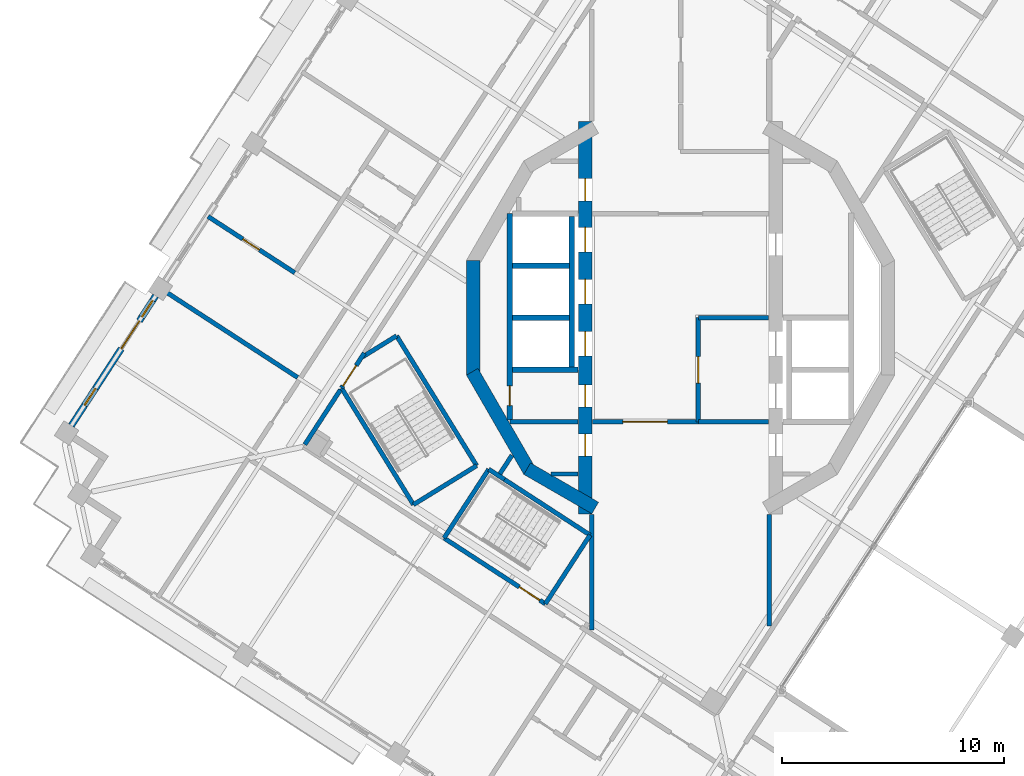
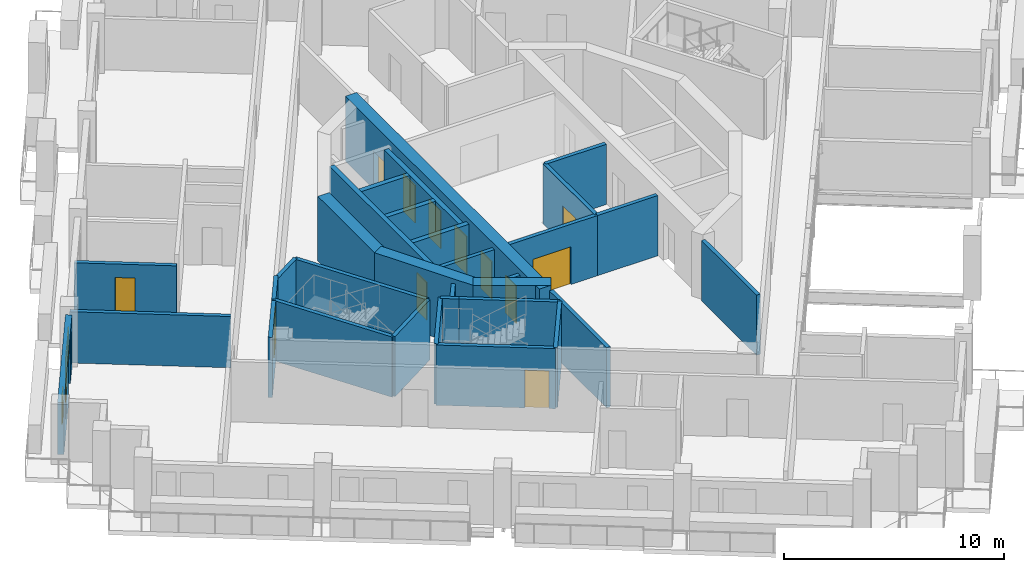
# One storey, part 6 of 17: 32 walls, 13 doors, 2 windows, 15 openings.
"""IFC4 building model written with IfcOpenShell, lengths in metres."""

import ifcopenshell
import ifcopenshell.guid

model = None  # the IFC model being written
_history = None  # IfcOwnerHistory: only IFC2X3 demands one
_inside = {}  # id of a spatial element -> (the spatial element, [elements in it])
_under = {}  # id of a project, library or spatial element -> (it, [spatial elements below it])
_declared = {}  # id of a project -> (the project, [libraries it declares])
_typed = {}  # id of a type object -> (the type object, [elements of that type])
_made_of = {}  # id of a material, layer set ... -> (it, [elements and type objects made of it])


def new_model(schema):
    """Start an empty IFC model of exactly this schema.

    Asked for "IFC4X3", IfcOpenShell would pick the latest addendum, in which some entities
    have other attributes; the version numbers below select the first issue.
    IFC2X3 requires an IfcOwnerHistory on every rooted entity: one is made here for all.
    """
    global model, _history
    if schema == "IFC4X3":
        model = ifcopenshell.file(schema_version=(4, 3, 0, 0))
    else:
        model = ifcopenshell.file(schema=schema)
    _inside.clear()
    _under.clear()
    _declared.clear()
    _typed.clear()
    _made_of.clear()
    _history = None
    if model.schema == "IFC2X3":
        org = make("IfcOrganization", Name="unknown")
        user = make(
            "IfcPersonAndOrganization",
            ThePerson=make("IfcPerson", FamilyName="unknown"),
            TheOrganization=org,
        )
        app = make(
            "IfcApplication",
            ApplicationDeveloper=org,
            Version="unknown",
            ApplicationFullName="unknown",
            ApplicationIdentifier="unknown",
        )
        _history = make(
            "IfcOwnerHistory",
            OwningUser=user,
            OwningApplication=app,
            ChangeAction="ADDED",
            CreationDate=0,
        )
    return model


def make(cls, **values):
    """One entity of the class cls with the attributes given. An attribute that is None is left unset."""
    return model.create_entity(
        cls, **{name: value for name, value in values.items() if value is not None}
    )


def rooted(cls, **values):
    """An entity with a GlobalId (a new one), such as an element, a storey or a relation."""
    return make(cls, GlobalId=ifcopenshell.guid.new(), OwnerHistory=_history, **values)


def si_unit(unit_type, name, prefix=None):
    """IfcSIUnit, for example si_unit("LENGTHUNIT", "METRE", prefix="MILLI")."""
    return make("IfcSIUnit", UnitType=unit_type, Prefix=prefix, Name=name)


def assignment(units):
    """IfcUnitAssignment: the units of a project."""
    return None if units is None else make("IfcUnitAssignment", Units=units)


def point(xyz):
    """IfcCartesianPoint."""
    return None if xyz is None else make("IfcCartesianPoint", Coordinates=xyz)


def direction(xyz):
    """IfcDirection."""
    return None if xyz is None else make("IfcDirection", DirectionRatios=xyz)


def frame(location, z_axis=None, x_axis=None):
    """IfcAxis2Placement3D, a coordinate frame: its origin and axes. An axis left out is left unset."""
    return make(
        "IfcAxis2Placement3D",
        Location=point(location),
        Axis=direction(z_axis),
        RefDirection=direction(x_axis),
    )


def frame_2d(location, x_axis=None):
    """IfcAxis2Placement2D, a coordinate frame in the plane: its origin and x axis."""
    return make(
        "IfcAxis2Placement2D", Location=point(location), RefDirection=direction(x_axis)
    )


def origin():
    """The frame at (0, 0, 0) with its axes left unset."""
    return frame((0.0, 0.0, 0.0))


def place(relative_to, where):
    """IfcLocalPlacement: puts the frame where relative to a parent placement (None: the world)."""
    return make(
        "IfcLocalPlacement", PlacementRelTo=relative_to, RelativePlacement=where
    )


def context(
    kind, dimensions, precision=None, world=None, true_north=None, identifier=None
):
    """IfcGeometricRepresentationContext, for example the 3D "Model" context."""
    return make(
        "IfcGeometricRepresentationContext",
        ContextIdentifier=identifier,
        ContextType=kind,
        CoordinateSpaceDimension=dimensions,
        Precision=precision,
        WorldCoordinateSystem=world,
        TrueNorth=true_north,
    )


def subcontext(parent, identifier, kind, view, scale=None):
    """IfcGeometricRepresentationSubContext, for example "Body" below "Model"."""
    return make(
        "IfcGeometricRepresentationSubContext",
        ContextIdentifier=identifier,
        ContextType=kind,
        ParentContext=parent,
        TargetScale=scale,
        TargetView=view,
    )


def project(units=None, contexts=None):
    """IfcProject with its units and contexts."""
    return rooted(
        "IfcProject",
        Name="project",
        RepresentationContexts=contexts,
        UnitsInContext=assignment(units),
    )


def spatial(cls, under=None, at=None, **own):
    """A site, building, storey or space (cls), placed at a placement, below another one or the project."""
    s = rooted(cls, ObjectPlacement=at, **own)
    if under is not None:
        _under.setdefault(under.id(), (under, []))[1].append(s)
    return s


def profile(cls, at=None, kind="AREA", **sizes):
    """A parametric profile (cls). Its sizes go by their IFC names, for example OverallWidth=200.0."""
    return make(cls, ProfileType=kind, Position=at, **sizes)


def rectangle(**sizes):
    """IfcRectangleProfileDef."""
    return profile("IfcRectangleProfileDef", **sizes)


def extrude(swept, where, along, depth):
    """IfcExtrudedAreaSolid: the profile swept, set in the frame where, extruded along a direction by depth."""
    return make(
        "IfcExtrudedAreaSolid",
        SweptArea=swept,
        Position=where,
        ExtrudedDirection=direction(along),
        Depth=depth,
    )


def shape(context_of_items, identifier, shape_type, items):
    """IfcShapeRepresentation: the items that make up one representation, for example the "Body"."""
    return make(
        "IfcShapeRepresentation",
        ContextOfItems=context_of_items,
        RepresentationIdentifier=identifier,
        RepresentationType=shape_type,
        Items=items,
    )


def material(Name=None, Category=None):
    """IfcMaterial."""
    return make("IfcMaterial", Name=Name, Category=Category)


def layer(
    of_material, thickness, ventilated=None, Name=None, Category=None, Priority=None
):
    """IfcMaterialLayer: one layer of a wall or slab, of a material (None: an air gap)."""
    return make(
        "IfcMaterialLayer",
        Material=of_material,
        LayerThickness=thickness,
        IsVentilated=ventilated,
        Name=Name,
        Category=Category,
        Priority=Priority,
    )


def layer_set(layers, Name=None):
    """IfcMaterialLayerSet."""
    return make("IfcMaterialLayerSet", MaterialLayers=layers, LayerSetName=Name)


def made_of(thing, what):
    """Note that an element or type object is made of a material, layer set ...; save() writes the relation."""
    if what is not None:
        _made_of.setdefault(what.id(), (what, []))[1].append(thing)
    return thing


def type_object(cls, material=None, **own):
    """A type object (cls), such as IfcWallType, which elements share."""
    return made_of(rooted(cls, **own), material)


def element(
    cls,
    number,
    at=None,
    inside=None,
    cuts=None,
    type_object=None,
    material=None,
    context=None,
    identifier="Body",
    shape_type=None,
    held_by="IfcProductDefinitionShape",
    body=None,
    shapes=None,
    **own,
):
    """One element of the class cls, such as IfcWall. Its Tag is "e" and its number.

    at: its placement. inside: the storey or other place that contains it. cuts: it is an
    opening in that element (IfcRelVoidsElement). A single representation is given by context,
    identifier, shape_type and body (its items); several are given by shapes. held_by: the class
    of the entity that holds the representations. save() writes the other relations.
    """
    e = rooted(cls, Tag="e%d" % number, ObjectPlacement=at, **own)
    if body is not None:
        shapes = [shape(context, identifier, shape_type, body)]
    if shapes is not None:
        e.Representation = make(held_by, Representations=shapes)
    if inside is not None:
        _inside.setdefault(inside.id(), (inside, []))[1].append(e)
    if cuts is not None:
        rooted(
            "IfcRelVoidsElement", RelatingBuildingElement=cuts, RelatedOpeningElement=e
        )
    if type_object is not None:
        _typed.setdefault(type_object.id(), (type_object, []))[1].append(e)
    return made_of(e, material)


def fill(opening, filler):
    """IfcRelFillsElement: the door or window that sits in an opening."""
    return rooted(
        "IfcRelFillsElement",
        RelatingOpeningElement=opening,
        RelatedBuildingElement=filler,
    )


def aggregate(whole, parts):
    """IfcRelAggregates: a whole, such as a stair, and the parts it consists of."""
    return rooted("IfcRelAggregates", RelatingObject=whole, RelatedObjects=parts)


def save(model, path):
    """Write the relations noted so far, then the file.

    IfcRelAggregates (storeys below a building ...), IfcRelContainedInSpatialStructure (elements
    in a storey), IfcRelDefinesByType, IfcRelAssociatesMaterial and IfcRelDeclares: one each for
    every whole, place, type object, material and project.
    """
    for whole, parts in _under.values():
        aggregate(whole, parts)
    for where, things in _inside.values():
        rooted(
            "IfcRelContainedInSpatialStructure",
            RelatedElements=things,
            RelatingStructure=where,
        )
    for kind, things in _typed.values():
        rooted("IfcRelDefinesByType", RelatedObjects=things, RelatingType=kind)
    for what, things in _made_of.values():
        rooted("IfcRelAssociatesMaterial", RelatedObjects=things, RelatingMaterial=what)
    for by, libraries in _declared.values():
        rooted("IfcRelDeclares", RelatingContext=by, RelatedDefinitions=libraries)
    model.write(path)


model = new_model("IFC4")

# Units and contexts
model_context = context("Model", 3, precision=1e-05, world=origin(), true_north=direction((0.0, 1.0)))
body_context = subcontext(model_context, "Body", "Model", "MODEL_VIEW")
ifc_project = project(units=[si_unit("LENGTHUNIT", "METRE"), si_unit("AREAUNIT", "SQUARE_METRE"), si_unit("VOLUMEUNIT", "CUBIC_METRE"), si_unit("PLANEANGLEUNIT", "RADIAN"), si_unit("MASSUNIT", "GRAM", prefix="KILO")], contexts=[model_context])

# Site, building, storey
site_placement = place(None, origin())
site = spatial("IfcSite", under=ifc_project, at=site_placement, CompositionType="ELEMENT")
building_placement = place(site_placement, origin())
building = spatial("IfcBuilding", under=site, at=building_placement, Name="Cantera Rosa Tower", CompositionType="ELEMENT")
storey_placement = place(building_placement, frame((0.0, 0.0, 257.699951171875)))
storey = spatial("IfcBuildingStorey", under=building, at=storey_placement, Name="L57", CompositionType="ELEMENT", Elevation=257.699951171875)

# Walls
ifc_material_1 = material(Name="Gypsum board partition")
ifc_layer_1 = layer(ifc_material_1, 0.199951171875)
ifc_layer_set_1 = layer_set([ifc_layer_1], Name="CORRIDOR WALL 200 H3350")
wall_type_1 = type_object("IfcWallType", Name="CORRIDOR WALL 200 H3350", PredefinedType="PARTITIONING", material=ifc_layer_set_1)
wall_1_placement = place(storey_placement, frame((-15.349853515625, -3.256103515625, 0.0), z_axis=(0.0, 0.0, 1.0), x_axis=(-0.544576607641, -0.838711105453, 0.0)))
element("IfcWall", 1, at=wall_1_placement, inside=storey, type_object=wall_type_1, Name="CORRIDOR WALL L57-008", PredefinedType="PARTITIONING", context=body_context, shape_type="SweptSolid", body=[
    extrude(rectangle(XDim=2.939208984375, YDim=0.199951171875, at=frame_2d((1.4697265625, 0.0))), origin(), (0.0, 0.0, 1.0), 3.35009765625),
])
wall_2_placement = place(storey_placement, frame((-4.0, -14.09423828125, 0.0), z_axis=(0.0, 0.0, 1.0), x_axis=(0.0, 1.0, 0.0)))
element("IfcWall", 2, at=wall_2_placement, inside=storey, type_object=wall_type_1, Name="CORRIDOR WALL L57-039", PredefinedType="PARTITIONING", context=body_context, shape_type="SweptSolid", body=[
    extrude(rectangle(XDim=5.21533203125, YDim=0.199951171875, at=frame_2d((2.607666015625, 0.0))), origin(), (0.0, 0.0, 1.0), 3.35009765625),
])

# Wall, opening, door
wall_3_placement = place(storey_placement, frame((0.800048828125, -4.699951171875, 0.0), z_axis=(0.0, 0.0, 1.0), x_axis=(-1.0, 0.0, 0.0)))
wall_3 = element("IfcWall", 3, at=wall_3_placement, inside=storey, type_object=wall_type_1, Name="CORRIDOR WALL L57-054", PredefinedType="PARTITIONING", context=body_context, shape_type="SweptSolid", body=[
    extrude(rectangle(XDim=4.77001953125, YDim=0.199951171875, at=frame_2d((2.385009765625, 0.0))), origin(), (0.0, 0.0, 1.0), 3.35009765625),
])
opening_1_placement = place(wall_3_placement, frame((1.39990234375, 0.0, 0.0)))
opening_1 = element("IfcOpeningElement", 4, at=opening_1_placement, cuts=wall_3, Name="Opening L57-011", PredefinedType="OPENING", context=body_context, shape_type="SweptSolid", body=[
    extrude(rectangle(XDim=2.0, YDim=2.10009765625, at=frame_2d((1.0, 1.050048828125))), frame((0.0, 0.10986328125, 0.0), z_axis=(0.0, -1.0, 0.0), x_axis=(1.0, 0.0, 0.0)), (0.0, 0.0, 1.0), 0.219970703125),
])
ifc_material_2 = material(Name="Steel S355J2 (EN 10025-2)", Category="steel")
door_type_1 = type_object("IfcDoorType", Name="LOBBY SCREEN DOOR 2000x2100", OperationType="NOTDEFINED", PredefinedType="DOOR", material=ifc_material_2)
door_1_placement = place(opening_1_placement, origin())
door_1 = element("IfcDoor", 5, at=door_1_placement, inside=storey, type_object=door_type_1, Name="DOOR L57-011", OperationType="NOTDEFINED", OverallHeight=2.10009765625, OverallWidth=2.0, PredefinedType="DOOR", context=body_context, shape_type="SweptSolid", body=[
    extrude(rectangle(XDim=2.0, YDim=2.10009765625, at=frame_2d((1.0, 1.050048828125))), frame((0.0, 0.02490234375, 0.0), z_axis=(0.0, -1.0, 0.0), x_axis=(1.0, 0.0, 0.0)), (0.0, 0.0, 1.0), 0.050048828125),
])
fill(opening_1, door_1)

# Wall
wall_4_placement = place(storey_placement, frame((4.0, -13.90087890625, 0.0), z_axis=(0.0, 0.0, 1.0), x_axis=(0.0, 1.0, 0.0)))
element("IfcWall", 6, at=wall_4_placement, inside=storey, type_object=wall_type_1, Name="CORRIDOR WALL L57-069", PredefinedType="PARTITIONING", context=body_context, shape_type="SweptSolid", body=[
    extrude(rectangle(XDim=5.02197265625, YDim=0.199951171875, at=frame_2d((2.510986328125, 0.0))), origin(), (0.0, 0.0, 1.0), 3.35009765625),
])

# Wall, openings, windows, door
ifc_material_3 = material(Name="Hollow clay masonry with cantera stone cladding", Category="masonry")
ifc_layer_2 = layer(ifc_material_3, 0.300048828125)
ifc_layer_set_2 = layer_set([ifc_layer_2], Name="EW-LOGGIA 300 H2890")
wall_type_2 = type_object("IfcWallType", Name="EW-LOGGIA 300 H2890", PredefinedType="SOLIDWALL", material=ifc_layer_set_2)
wall_5_placement = place(storey_placement, frame((-23.6826171875, 0.98779296875, 0.0), z_axis=(0.0, 0.0, 1.0), x_axis=(-0.544667428764, -0.838652128146, 0.0)))
wall_5 = element("IfcWall", 7, at=wall_5_placement, inside=storey, type_object=wall_type_2, Name="EN-L57-W11", PredefinedType="SOLIDWALL", context=body_context, shape_type="SweptSolid", body=[
    extrude(rectangle(XDim=6.97998046875, YDim=0.300048828125, at=frame_2d((3.489990234375, 0.0))), origin(), (0.0, 0.0, 1.0), 2.89013671875),
])
opening_2_placement = place(wall_5_placement, frame((0.2451171875, 0.0, 0.89990234375)))
opening_2 = element("IfcOpeningElement", 8, at=opening_2_placement, cuts=wall_5, Name="Opening L57-W25", PredefinedType="OPENING", context=body_context, shape_type="SweptSolid", body=[
    extrude(rectangle(XDim=0.89990234375, YDim=1.5, at=frame_2d((0.449951171875, 0.75))), frame((0.0, 0.159912109375, 0.0), z_axis=(0.0, -1.0, 0.0), x_axis=(1.0, 0.0, 0.0)), (0.0, 0.0, 1.0), 0.320068359375),
])
opening_3_placement = place(wall_5_placement, frame((1.344970703125, 0.0, 0.0)))
opening_3 = element("IfcOpeningElement", 9, at=opening_3_placement, cuts=wall_5, Name="Opening L57-TD26", PredefinedType="OPENING", context=body_context, shape_type="SweptSolid", body=[
    extrude(rectangle(XDim=1.5, YDim=2.39990234375, at=frame_2d((0.75, 1.199951171875))), frame((0.0, 0.159912109375, 0.0), z_axis=(0.0, -1.0, 0.0), x_axis=(1.0, 0.0, 0.0)), (0.0, 0.0, 1.0), 0.320068359375),
])
opening_4_placement = place(wall_5_placement, frame((4.985107421875, 0.0, 0.89990234375)))
opening_4 = element("IfcOpeningElement", 10, at=opening_4_placement, cuts=wall_5, Name="Opening L57-W27", PredefinedType="OPENING", context=body_context, shape_type="SweptSolid", body=[
    extrude(rectangle(XDim=0.89990234375, YDim=1.5, at=frame_2d((0.449951171875, 0.75))), frame((0.0, 0.159912109375, 0.0), z_axis=(0.0, -1.0, 0.0), x_axis=(1.0, 0.0, 0.0)), (0.0, 0.0, 1.0), 0.320068359375),
])
ifc_material_4 = material(Name="Aluminium frame with clear glass", Category="aluminium")
window_type = type_object("IfcWindowType", Name="Residential window 900x1500", PartitioningType="SINGLE_PANEL", PredefinedType="WINDOW", material=ifc_material_4)
window_1_placement = place(opening_2_placement, origin())
window_1 = element("IfcWindow", 11, at=window_1_placement, inside=storey, type_object=window_type, Name="WINDOW L57-W25", OverallHeight=1.5, OverallWidth=0.89990234375, PartitioningType="SINGLE_PANEL", PredefinedType="WINDOW", context=body_context, shape_type="SweptSolid", body=[
    extrude(rectangle(XDim=0.89990234375, YDim=1.5, at=frame_2d((0.449951171875, 0.75))), frame((0.0, 0.030029296875, 0.0), z_axis=(0.0, -1.0, 0.0), x_axis=(1.0, 0.0, 0.0)), (0.0, 0.0, 1.0), 0.06005859375),
])
fill(opening_2, window_1)
window_2_placement = place(opening_4_placement, origin())
window_2 = element("IfcWindow", 12, at=window_2_placement, inside=storey, type_object=window_type, Name="WINDOW L57-W27", OverallHeight=1.5, OverallWidth=0.89990234375, PartitioningType="SINGLE_PANEL", PredefinedType="WINDOW", context=body_context, shape_type="SweptSolid", body=[
    extrude(rectangle(XDim=0.89990234375, YDim=1.5, at=frame_2d((0.449951171875, 0.75))), frame((0.0, 0.030029296875, 0.0), z_axis=(0.0, -1.0, 0.0), x_axis=(1.0, 0.0, 0.0)), (0.0, 0.0, 1.0), 0.06005859375),
])
fill(opening_4, window_2)
ifc_material_5 = material(Name="Aluminium frame with clear glass", Category="aluminium")
door_type_2 = type_object("IfcDoorType", Name="TD-R 1500x2400", OperationType="NOTDEFINED", PredefinedType="DOOR", material=ifc_material_5)
door_2_placement = place(opening_3_placement, origin())
door_2 = element("IfcDoor", 13, at=door_2_placement, inside=storey, type_object=door_type_2, Name="LOGGIA DOOR L57-TD26", OperationType="SLIDING_TO_LEFT", OverallHeight=2.39990234375, OverallWidth=1.5, PredefinedType="DOOR", context=body_context, shape_type="SweptSolid", body=[
    extrude(rectangle(XDim=1.5, YDim=2.39990234375, at=frame_2d((0.75, 1.199951171875))), frame((0.0, 0.02490234375, 0.0), z_axis=(0.0, -1.0, 0.0), x_axis=(1.0, 0.0, 0.0)), (0.0, 0.0, 1.0), 0.050048828125),
])
fill(opening_3, door_2)

# Wall, opening, door
ifc_material_6 = material(Name="Gypsum board partition")
ifc_layer_3 = layer(ifc_material_6, 0.199951171875)
ifc_layer_set_3 = layer_set([ifc_layer_3], Name="PARTITION 200 H2850")
wall_type_3 = type_object("IfcWallType", Name="PARTITION 200 H2850", PredefinedType="PARTITIONING", material=ifc_layer_set_3)
wall_6_placement = place(storey_placement, frame((-17.404296875, 2.02587890625, 0.0), z_axis=(0.0, 0.0, 1.0), x_axis=(-0.838681218127, 0.544622634822, 0.0)))
wall_6 = element("IfcWall", 14, at=wall_6_placement, inside=storey, type_object=wall_type_3, Name="PARTITION L57-003", PredefinedType="PARTITIONING", context=body_context, shape_type="SweptSolid", body=[
    extrude(rectangle(XDim=4.670166015625, YDim=0.199951171875, at=frame_2d((2.3349609375, 0.0))), origin(), (0.0, 0.0, 1.0), 2.85009765625),
])
opening_5_placement = place(wall_6_placement, frame((1.89990234375, 0.0, 0.0)))
opening_5 = element("IfcOpeningElement", 15, at=opening_5_placement, cuts=wall_6, Name="Opening L57-032", PredefinedType="OPENING", context=body_context, shape_type="SweptSolid", body=[
    extrude(rectangle(XDim=0.89990234375, YDim=2.10009765625, at=frame_2d((0.449951171875, 1.050048828125))), frame((0.0, 0.10986328125, 0.0), z_axis=(0.0, -1.0, 0.0), x_axis=(1.0, 0.0, 0.0)), (0.0, 0.0, 1.0), 0.219970703125),
])
ifc_material_7 = material(Name="Timber door leaf", Category="wood")
door_type_3 = type_object("IfcDoorType", Name="ROOM DOOR 900x2100", OperationType="NOTDEFINED", PredefinedType="DOOR", material=ifc_material_7)
door_3_placement = place(opening_5_placement, origin())
door_3 = element("IfcDoor", 16, at=door_3_placement, inside=storey, type_object=door_type_3, Name="DOOR L57-032", OperationType="NOTDEFINED", OverallHeight=2.10009765625, OverallWidth=0.89990234375, PredefinedType="DOOR", context=body_context, shape_type="SweptSolid", body=[
    extrude(rectangle(XDim=0.89990234375, YDim=2.10009765625, at=frame_2d((0.449951171875, 1.050048828125))), frame((0.0, 0.02490234375, 0.0), z_axis=(0.0, -1.0, 0.0), x_axis=(1.0, 0.0, 0.0)), (0.0, 0.0, 1.0), 0.050048828125),
])
fill(opening_5, door_3)

# Walls
ifc_material_8 = material(Name="Gypsum board partition")
ifc_layer_4 = layer(ifc_material_8, 0.199951171875)
ifc_layer_set_4 = layer_set([ifc_layer_4], Name="PARTITION 200 H3350")
wall_type_4 = type_object("IfcWallType", Name="PARTITION 200 H3350", PredefinedType="PARTITIONING", material=ifc_layer_set_4)
wall_7_placement = place(storey_placement, frame((-7.699951171875, -4.699951171875, 0.0), z_axis=(0.0, 0.0, 1.0), x_axis=(1.0, 0.0, 0.0)))
element("IfcWall", 17, at=wall_7_placement, inside=storey, type_object=wall_type_4, Name="PARTITION L57-022", PredefinedType="PARTITIONING", context=body_context, shape_type="SweptSolid", body=[
    extrude(rectangle(XDim=3.070068359375, YDim=0.199951171875, at=frame_2d((1.53515625, 0.0))), origin(), (0.0, 0.0, 1.0), 3.35009765625),
])
wall_8_placement = place(storey_placement, frame((-7.606201171875, -6.2041015625, 0.0), z_axis=(0.0, 0.0, 1.0), x_axis=(-0.544534187317, -0.838738647519, 0.0)))
element("IfcWall", 18, at=wall_8_placement, inside=storey, type_object=wall_type_4, Name="PARTITION L57-027", PredefinedType="PARTITIONING", context=body_context, shape_type="SweptSolid", body=[
    extrude(rectangle(XDim=1.001708984375, YDim=0.199951171875, at=frame_2d((0.5009765625, 0.0))), origin(), (0.0, 0.0, 1.0), 3.35009765625),
])
wall_9_placement = place(storey_placement, frame((-4.6298828125, -7.050048828125, 0.0), z_axis=(0.0, 0.0, 1.0), x_axis=(-1.0, 0.0, 0.0)))
element("IfcWall", 19, at=wall_9_placement, inside=storey, type_object=wall_type_4, Name="PARTITION L57-036", PredefinedType="PARTITIONING", context=body_context, shape_type="SweptSolid", body=[
    extrude(rectangle(XDim=1.2177734375, YDim=0.199951171875, at=frame_2d((0.60888671875, 0.0))), origin(), (0.0, 0.0, 1.0), 3.35009765625),
])
ifc_material_9 = material(Name="Gypsum board partition")
ifc_layer_5 = layer(ifc_material_9, 0.199951171875)
ifc_layer_set_5 = layer_set([ifc_layer_5], Name="PARTY WALL 200 H2850")
wall_type_5 = type_object("IfcWallType", Name="PARTY WALL 200 H2850", PredefinedType="PARTITIONING", material=ifc_layer_set_5)
wall_10_placement = place(storey_placement, frame((-17.275390625, -2.696044921875, 0.0), z_axis=(0.0, 0.0, 1.0), x_axis=(-0.838684106336, 0.544618187155, 0.0)))
element("IfcWall", 20, at=wall_10_placement, inside=storey, type_object=wall_type_5, Name="PARTY WALL L57-004", PredefinedType="PARTITIONING", context=body_context, shape_type="SweptSolid", body=[
    extrude(rectangle(XDim=7.349853515625, YDim=0.199951171875, at=frame_2d((3.6748046875, 0.0))), origin(), (0.0, 0.0, 1.0), 2.85009765625),
])
ifc_material_10 = material(Name="Concrete C50/60", Category="concrete")
ifc_layer_6 = layer(ifc_material_10, 0.60009765625)
ifc_layer_set_6 = layer_set([ifc_layer_6], Name="RC CORE WALL 600 C50/60")
wall_type_6 = type_object("IfcWallType", Name="RC CORE WALL 600 C50/60", PredefinedType="SHEAR", material=ifc_layer_set_6)
wall_11_placement = place(storey_placement, frame((-3.85009765625, -8.584228515625, 0.0), z_axis=(0.0, 0.0, 1.0), x_axis=(-0.866039982607, 0.499974747889, 0.0)))
element("IfcWall", 21, at=wall_11_placement, inside=storey, type_object=wall_type_6, Name="CW-W1 L57", PredefinedType="SHEAR", context=body_context, shape_type="SweptSolid", body=[
    extrude(rectangle(XDim=3.546142578125, YDim=0.60009765625, at=frame_2d((1.77294921875, 0.0))), origin(), (0.0, 0.0, 1.0), 3.60009765625),
])
for number, where, z_axis, x_axis, name in (
    (22, (-6.811279296875, -6.921142578125, 0.0), (0.0, 0.0, 1.0), (-0.499989188378, 0.866031645787, 0.0), "CW-W2 L57"),
    (23, (-9.359375, -2.588134765625, 0.0), (0.0, 0.0, 1.0), (0.0, 1.0, 0.0), "CW-W3 L57"),
):
    element("IfcWall", number, at=place(storey_placement, frame(where, z_axis=z_axis, x_axis=x_axis)), inside=storey, type_object=wall_type_6, Name=name, PredefinedType="SHEAR", context=body_context, shape_type="SweptSolid", body=[
        extrude(rectangle(XDim=5.17626953125, YDim=0.60009765625, at=frame_2d((2.588134765625, 0.0))), origin(), (0.0, 0.0, 1.0), 3.60009765625),
    ])

# Wall, openings, doors
wall_12_placement = place(storey_placement, frame((-4.300048828125, 8.84423828125, 0.0), z_axis=(0.0, 0.0, 1.0), x_axis=(0.0, -1.0, 0.0)))
wall_12 = element("IfcWall", 24, at=wall_12_placement, inside=storey, type_object=wall_type_6, Name="CW-W6 L57", PredefinedType="SHEAR", context=body_context, shape_type="SweptSolid", body=[
    extrude(rectangle(XDim=17.6884765625, YDim=0.60009765625, at=frame_2d((8.84423828125, 0.0))), origin(), (0.0, 0.0, 1.0), 3.60009765625),
])
opening_6_placement = place(wall_12_placement, frame((9.468994140625, 0.0, 0.0)))
opening_6 = element("IfcOpeningElement", 25, at=opening_6_placement, cuts=wall_12, Name="Opening LD-H1-L57", PredefinedType="OPENING", context=body_context, shape_type="SweptSolid", body=[
    extrude(rectangle(XDim=1.10009765625, YDim=2.10009765625, at=frame_2d((0.550048828125, 1.050048828125))), frame((0.0, 0.31005859375, 0.0), z_axis=(0.0, -1.0, 0.0), x_axis=(1.0, 0.0, 0.0)), (0.0, 0.0, 1.0), 0.6201171875),
])
opening_7_placement = place(wall_12_placement, frame((7.119140625, 0.0, 0.0)))
opening_7 = element("IfcOpeningElement", 26, at=opening_7_placement, cuts=wall_12, Name="Opening LD-H2-L57", PredefinedType="OPENING", context=body_context, shape_type="SweptSolid", body=[
    extrude(rectangle(XDim=1.10009765625, YDim=2.10009765625, at=frame_2d((0.550048828125, 1.050048828125))), frame((0.0, 0.31005859375, 0.0), z_axis=(0.0, -1.0, 0.0), x_axis=(1.0, 0.0, 0.0)), (0.0, 0.0, 1.0), 0.6201171875),
])
opening_8_placement = place(wall_12_placement, frame((4.76904296875, 0.0, 0.0)))
opening_8 = element("IfcOpeningElement", 27, at=opening_8_placement, cuts=wall_12, Name="Opening LD-H3-L57", PredefinedType="OPENING", context=body_context, shape_type="SweptSolid", body=[
    extrude(rectangle(XDim=1.10009765625, YDim=2.10009765625, at=frame_2d((0.550048828125, 1.050048828125))), frame((0.0, 0.31005859375, 0.0), z_axis=(0.0, -1.0, 0.0), x_axis=(1.0, 0.0, 0.0)), (0.0, 0.0, 1.0), 0.6201171875),
])
opening_9_placement = place(wall_12_placement, frame((14.091552734375, 0.0, 0.0)))
opening_9 = element("IfcOpeningElement", 28, at=opening_9_placement, cuts=wall_12, Name="Opening SD-L57-14", PredefinedType="OPENING", context=body_context, shape_type="SweptSolid", body=[
    extrude(rectangle(XDim=1.0, YDim=2.10009765625, at=frame_2d((0.5, 1.050048828125))), frame((0.0, 0.31005859375, 0.0), z_axis=(0.0, -1.0, 0.0), x_axis=(1.0, 0.0, 0.0)), (0.0, 0.0, 1.0), 0.6201171875),
])
opening_10_placement = place(wall_12_placement, frame((2.572265625, 0.0, 0.0)))
opening_10 = element("IfcOpeningElement", 29, at=opening_10_placement, cuts=wall_12, Name="Opening SD-L57-15", PredefinedType="OPENING", context=body_context, shape_type="SweptSolid", body=[
    extrude(rectangle(XDim=1.0, YDim=2.10009765625, at=frame_2d((0.5, 1.050048828125))), frame((0.0, 0.31005859375, 0.0), z_axis=(0.0, -1.0, 0.0), x_axis=(1.0, 0.0, 0.0)), (0.0, 0.0, 1.0), 0.6201171875),
])
opening_11_placement = place(wall_12_placement, frame((11.869140625, 0.0, 0.0)))
opening_11 = element("IfcOpeningElement", 30, at=opening_11_placement, cuts=wall_12, Name="Opening SD-L57-16", PredefinedType="OPENING", context=body_context, shape_type="SweptSolid", body=[
    extrude(rectangle(XDim=1.0, YDim=2.10009765625, at=frame_2d((0.5, 1.050048828125))), frame((0.0, 0.31005859375, 0.0), z_axis=(0.0, -1.0, 0.0), x_axis=(1.0, 0.0, 0.0)), (0.0, 0.0, 1.0), 0.6201171875),
])
ifc_material_11 = material(Name="Steel S355J2 (EN 10025-2)", Category="steel")
door_type_4 = type_object("IfcDoorType", Name="LANDING DOOR 1100x2100", OperationType="NOTDEFINED", PredefinedType="DOOR", material=ifc_material_11)
door_4_placement = place(opening_6_placement, origin())
door_4 = element("IfcDoor", 31, at=door_4_placement, inside=storey, type_object=door_type_4, Name="LANDING DOOR H1 L57", OperationType="SLIDING_TO_LEFT", OverallHeight=2.10009765625, OverallWidth=1.10009765625, PredefinedType="DOOR", context=body_context, shape_type="SweptSolid", body=[
    extrude(rectangle(XDim=1.10009765625, YDim=2.10009765625, at=frame_2d((0.550048828125, 1.050048828125))), frame((0.0, 0.02490234375, 0.0), z_axis=(0.0, -1.0, 0.0), x_axis=(1.0, 0.0, 0.0)), (0.0, 0.0, 1.0), 0.050048828125),
])
fill(opening_6, door_4)
door_5_placement = place(opening_7_placement, origin())
door_5 = element("IfcDoor", 32, at=door_5_placement, inside=storey, type_object=door_type_4, Name="LANDING DOOR H2 L57", OperationType="SLIDING_TO_LEFT", OverallHeight=2.10009765625, OverallWidth=1.10009765625, PredefinedType="DOOR", context=body_context, shape_type="SweptSolid", body=[
    extrude(rectangle(XDim=1.10009765625, YDim=2.10009765625, at=frame_2d((0.550048828125, 1.050048828125))), frame((0.0, 0.02490234375, 0.0), z_axis=(0.0, -1.0, 0.0), x_axis=(1.0, 0.0, 0.0)), (0.0, 0.0, 1.0), 0.050048828125),
])
fill(opening_7, door_5)
door_6_placement = place(opening_8_placement, origin())
door_6 = element("IfcDoor", 33, at=door_6_placement, inside=storey, type_object=door_type_4, Name="LANDING DOOR H3 L57", OperationType="SLIDING_TO_LEFT", OverallHeight=2.10009765625, OverallWidth=1.10009765625, PredefinedType="DOOR", context=body_context, shape_type="SweptSolid", body=[
    extrude(rectangle(XDim=1.10009765625, YDim=2.10009765625, at=frame_2d((0.550048828125, 1.050048828125))), frame((0.0, 0.02490234375, 0.0), z_axis=(0.0, -1.0, 0.0), x_axis=(1.0, 0.0, 0.0)), (0.0, 0.0, 1.0), 0.050048828125),
])
fill(opening_8, door_6)
ifc_material_12 = material(Name="Timber door leaf", Category="wood")
door_type_5 = type_object("IfcDoorType", Name="SERVICE DOOR 1000x2100", OperationType="NOTDEFINED", PredefinedType="DOOR", material=ifc_material_12)
door_7_placement = place(opening_9_placement, origin())
door_7 = element("IfcDoor", 34, at=door_7_placement, inside=storey, type_object=door_type_5, Name="DOOR L57-SD14", OperationType="NOTDEFINED", OverallHeight=2.10009765625, OverallWidth=1.0, PredefinedType="DOOR", context=body_context, shape_type="SweptSolid", body=[
    extrude(rectangle(XDim=1.0, YDim=2.10009765625, at=frame_2d((0.5, 1.050048828125))), frame((0.0, 0.02490234375, 0.0), z_axis=(0.0, -1.0, 0.0), x_axis=(1.0, 0.0, 0.0)), (0.0, 0.0, 1.0), 0.050048828125),
])
fill(opening_9, door_7)
door_8_placement = place(opening_10_placement, origin())
door_8 = element("IfcDoor", 35, at=door_8_placement, inside=storey, type_object=door_type_5, Name="DOOR L57-SD15", OperationType="NOTDEFINED", OverallHeight=2.10009765625, OverallWidth=1.0, PredefinedType="DOOR", context=body_context, shape_type="SweptSolid", body=[
    extrude(rectangle(XDim=1.0, YDim=2.10009765625, at=frame_2d((0.5, 1.050048828125))), frame((0.0, 0.02490234375, 0.0), z_axis=(0.0, -1.0, 0.0), x_axis=(1.0, 0.0, 0.0)), (0.0, 0.0, 1.0), 0.050048828125),
])
fill(opening_10, door_8)
door_9_placement = place(opening_11_placement, origin())
door_9 = element("IfcDoor", 36, at=door_9_placement, inside=storey, type_object=door_type_5, Name="DOOR L57-SD16", OperationType="NOTDEFINED", OverallHeight=2.10009765625, OverallWidth=1.0, PredefinedType="DOOR", context=body_context, shape_type="SweptSolid", body=[
    extrude(rectangle(XDim=1.0, YDim=2.10009765625, at=frame_2d((0.5, 1.050048828125))), frame((0.0, 0.02490234375, 0.0), z_axis=(0.0, -1.0, 0.0), x_axis=(1.0, 0.0, 0.0)), (0.0, 0.0, 1.0), 0.050048828125),
])
fill(opening_11, door_9)

# Walls
ifc_material_13 = material(Name="Masonry blockwork", Category="masonry")
ifc_layer_7 = layer(ifc_material_13, 0.25)
ifc_layer_set_7 = layer_set([ifc_layer_7], Name="SHAFT WALL 250 H3350")
wall_type_7 = type_object("IfcWallType", Name="SHAFT WALL 250 H3350", PredefinedType="SOLIDWALL", material=ifc_layer_set_7)
for number, where, z_axis, x_axis, name in (
    (37, (-7.574951171875, 0.0, 0.0), (0.0, 0.0, 1.0), (1.0, 0.0, 0.0), "SHAFT WALL L57-023"),
    (38, (-7.574951171875, 2.35009765625, 0.0), (0.0, 0.0, 1.0), (1.0, 0.0, 0.0), "SHAFT WALL L57-024"),
):
    element("IfcWall", number, at=place(storey_placement, frame(where, z_axis=z_axis, x_axis=x_axis)), inside=storey, type_object=wall_type_7, Name=name, PredefinedType="SOLIDWALL", context=body_context, shape_type="SweptSolid", body=[
        extrude(rectangle(XDim=2.554931640625, YDim=0.25, at=frame_2d((1.27734375, 0.0))), origin(), (0.0, 0.0, 1.0), 3.35009765625),
    ])

# Wall, opening, door
wall_13_placement = place(storey_placement, frame((-7.699951171875, 4.699951171875, 0.0), z_axis=(0.0, 0.0, 1.0), x_axis=(0.0, -1.0, 0.0)))
wall_13 = element("IfcWall", 39, at=wall_13_placement, inside=storey, type_object=wall_type_7, Name="SHAFT WALL L57-025", PredefinedType="SOLIDWALL", context=body_context, shape_type="SweptSolid", body=[
    extrude(rectangle(XDim=9.320068359375, YDim=0.25, at=frame_2d((4.66015625, 0.0))), origin(), (0.0, 0.0, 1.0), 3.35009765625),
])
opening_12_placement = place(wall_13_placement, frame((7.7705078125, 0.0, 0.0)))
opening_12 = element("IfcOpeningElement", 40, at=opening_12_placement, cuts=wall_13, Name="Opening L57-048", PredefinedType="OPENING", context=body_context, shape_type="SweptSolid", body=[
    extrude(rectangle(XDim=0.89990234375, YDim=2.10009765625, at=frame_2d((0.449951171875, 1.050048828125))), frame((0.0, 0.135009765625, 0.0), z_axis=(0.0, -1.0, 0.0), x_axis=(1.0, 0.0, 0.0)), (0.0, 0.0, 1.0), 0.27001953125),
])
ifc_material_14 = material(Name="Timber door leaf", Category="wood")
door_type_6 = type_object("IfcDoorType", Name="SERVICE DOOR 900x2100", OperationType="NOTDEFINED", PredefinedType="DOOR", material=ifc_material_14)
door_10_placement = place(opening_12_placement, origin())
door_10 = element("IfcDoor", 41, at=door_10_placement, inside=storey, type_object=door_type_6, Name="RISER DOOR L57-048", OperationType="NOTDEFINED", OverallHeight=2.10009765625, OverallWidth=0.89990234375, PredefinedType="DOOR", context=body_context, shape_type="SweptSolid", body=[
    extrude(rectangle(XDim=0.89990234375, YDim=2.10009765625, at=frame_2d((0.449951171875, 1.050048828125))), frame((0.0, 0.02490234375, 0.0), z_axis=(0.0, -1.0, 0.0), x_axis=(1.0, 0.0, 0.0)), (0.0, 0.0, 1.0), 0.050048828125),
])
fill(opening_12, door_10)

# Walls
wall_14_placement = place(storey_placement, frame((-4.89990234375, -2.22509765625, 0.0), z_axis=(0.0, 0.0, 1.0), x_axis=(0.0, 1.0, 0.0)))
element("IfcWall", 42, at=wall_14_placement, inside=storey, type_object=wall_type_7, Name="SHAFT WALL L57-035", PredefinedType="SOLIDWALL", context=body_context, shape_type="SweptSolid", body=[
    extrude(rectangle(XDim=6.800048828125, YDim=0.25, at=frame_2d((3.39990234375, 0.0))), origin(), (0.0, 0.0, 1.0), 3.35009765625),
])
wall_15_placement = place(storey_placement, frame((-4.6298828125, -2.35009765625, 0.0), z_axis=(0.0, 0.0, 1.0), x_axis=(-1.0, 0.0, 0.0)))
element("IfcWall", 43, at=wall_15_placement, inside=storey, type_object=wall_type_7, Name="SHAFT WALL L57-037", PredefinedType="SOLIDWALL", context=body_context, shape_type="SweptSolid", body=[
    extrude(rectangle(XDim=2.945068359375, YDim=0.25, at=frame_2d((1.47265625, 0.0))), origin(), (0.0, 0.0, 1.0), 3.35009765625),
])
ifc_material_15 = material(Name="Concrete C50/60", Category="concrete")
ifc_layer_8 = layer(ifc_material_15, 0.199951171875)
ifc_layer_set_8 = layer_set([ifc_layer_8], Name="STAIR WALL 200 H3350")
wall_type_8 = type_object("IfcWallType", Name="STAIR WALL 200 H3350", PredefinedType="SOLIDWALL", material=ifc_layer_set_8)
wall_16_placement = place(storey_placement, frame((-15.29541015625, -3.17236328125, 0.0), z_axis=(0.0, 0.0, 1.0), x_axis=(0.524983142341, -0.851112624896, 0.0)))
element("IfcWall", 44, at=wall_16_placement, inside=storey, type_object=wall_type_8, Name="STAIR WALL L57-009", PredefinedType="SOLIDWALL", context=body_context, shape_type="SweptSolid", body=[
    extrude(rectangle(XDim=6.180419921875, YDim=0.199951171875, at=frame_2d((3.09033203125, 0.0))), origin(), (0.0, 0.0, 1.0), 3.35009765625),
])

# Wall, opening, door
wall_17_placement = place(storey_placement, frame((-14.268310546875, -1.5908203125, 0.0), z_axis=(0.0, 0.0, 1.0), x_axis=(-0.544651565877, -0.838662430176, 0.0)))
wall_17 = element("IfcWall", 45, at=wall_17_placement, inside=storey, type_object=wall_type_8, Name="STAIR WALL L57-011", PredefinedType="SOLIDWALL", context=body_context, shape_type="SweptSolid", body=[
    extrude(rectangle(XDim=1.8857421875, YDim=0.199951171875, at=frame_2d((0.94287109375, 0.0))), origin(), (0.0, 0.0, 1.0), 3.35009765625),
])
opening_13_placement = place(wall_17_placement, frame((0.6689453125, 0.0, 0.0)))
opening_13 = element("IfcOpeningElement", 46, at=opening_13_placement, cuts=wall_17, Name="Opening L57-002", PredefinedType="OPENING", context=body_context, shape_type="SweptSolid", body=[
    extrude(rectangle(XDim=1.10009765625, YDim=2.10009765625, at=frame_2d((0.550048828125, 1.050048828125))), frame((0.0, 0.10986328125, 0.0), z_axis=(0.0, -1.0, 0.0), x_axis=(1.0, 0.0, 0.0)), (0.0, 0.0, 1.0), 0.219970703125),
])
ifc_material_16 = material(Name="Steel S355J2 (EN 10025-2)", Category="steel")
door_type_7 = type_object("IfcDoorType", Name="STAIR DOOR 1100x2100", OperationType="NOTDEFINED", PredefinedType="DOOR", material=ifc_material_16)
door_11_placement = place(opening_13_placement, origin())
door_11 = element("IfcDoor", 47, at=door_11_placement, inside=storey, type_object=door_type_7, Name="DOOR L57-002", OperationType="NOTDEFINED", OverallHeight=2.10009765625, OverallWidth=1.10009765625, PredefinedType="DOOR", context=body_context, shape_type="SweptSolid", body=[
    extrude(rectangle(XDim=1.10009765625, YDim=2.10009765625, at=frame_2d((0.550048828125, 1.050048828125))), frame((0.0, 0.02490234375, 0.0), z_axis=(0.0, -1.0, 0.0), x_axis=(1.0, 0.0, 0.0)), (0.0, 0.0, 1.0), 0.050048828125),
])
fill(opening_13, door_11)

# Walls
wall_18_placement = place(storey_placement, frame((-12.811279296875, -0.818359375, 0.0), z_axis=(0.0, 0.0, 1.0), x_axis=(-0.851125244186, -0.524962683158, 0.0)))
element("IfcWall", 48, at=wall_18_placement, inside=storey, type_object=wall_type_8, Name="STAIR WALL L57-013", PredefinedType="SOLIDWALL", context=body_context, shape_type="SweptSolid", body=[
    extrude(rectangle(XDim=1.872802734375, YDim=0.199951171875, at=frame_2d((0.9365234375, 0.0))), origin(), (0.0, 0.0, 1.0), 3.35009765625),
])
wall_19_placement = place(storey_placement, frame((-12.05078125, -8.4326171875, 0.0), z_axis=(0.0, 0.0, 1.0), x_axis=(0.85113993661, 0.524938861495, 0.0)))
element("IfcWall", 49, at=wall_19_placement, inside=storey, type_object=wall_type_8, Name="STAIR WALL L57-015", PredefinedType="SOLIDWALL", context=body_context, shape_type="SweptSolid", body=[
    extrude(rectangle(XDim=3.35009765625, YDim=0.199951171875, at=frame_2d((1.675048828125, 0.0))), origin(), (0.0, 0.0, 1.0), 3.35009765625),
])

# Wall, opening, door
wall_20_placement = place(storey_placement, frame((-10.67138671875, -9.94189453125, 0.0), z_axis=(0.0, 0.0, 1.0), x_axis=(0.838674843592, -0.544632451041, 0.0)))
wall_20 = element("IfcWall", 50, at=wall_20_placement, inside=storey, type_object=wall_type_8, Name="STAIR WALL L57-019", PredefinedType="SOLIDWALL", context=body_context, shape_type="SweptSolid", body=[
    extrude(rectangle(XDim=5.449951171875, YDim=0.199951171875, at=frame_2d((2.72509765625, 0.0))), origin(), (0.0, 0.0, 1.0), 3.35009765625),
])
opening_14_placement = place(wall_20_placement, frame((4.050048828125, 0.0, 0.0)))
opening_14 = element("IfcOpeningElement", 51, at=opening_14_placement, cuts=wall_20, Name="Opening L57-003", PredefinedType="OPENING", context=body_context, shape_type="SweptSolid", body=[
    extrude(rectangle(XDim=1.10009765625, YDim=2.10009765625, at=frame_2d((0.550048828125, 1.050048828125))), frame((0.0, 0.10986328125, 0.0), z_axis=(0.0, -1.0, 0.0), x_axis=(1.0, 0.0, 0.0)), (0.0, 0.0, 1.0), 0.219970703125),
])
door_12_placement = place(opening_14_placement, origin())
door_12 = element("IfcDoor", 52, at=door_12_placement, inside=storey, type_object=door_type_7, Name="DOOR L57-003", OperationType="NOTDEFINED", OverallHeight=2.10009765625, OverallWidth=1.10009765625, PredefinedType="DOOR", context=body_context, shape_type="SweptSolid", body=[
    extrude(rectangle(XDim=1.10009765625, YDim=2.10009765625, at=frame_2d((0.550048828125, 1.050048828125))), frame((0.0, 0.02490234375, 0.0), z_axis=(0.0, -1.0, 0.0), x_axis=(1.0, 0.0, 0.0)), (0.0, 0.0, 1.0), 0.050048828125),
])
fill(opening_14, door_12)

# Walls
wall_21_placement = place(storey_placement, frame((-9.199462890625, -6.674072265625, 0.0), z_axis=(0.0, 0.0, 1.0), x_axis=(-0.524972254536, 0.851119340614, 0.0)))
element("IfcWall", 53, at=wall_21_placement, inside=storey, type_object=wall_type_8, Name="STAIR WALL L57-020", PredefinedType="SOLIDWALL", context=body_context, shape_type="SweptSolid", body=[
    extrude(rectangle(XDim=6.880126953125, YDim=0.199951171875, at=frame_2d((3.43994140625, 0.0))), origin(), (0.0, 0.0, 1.0), 3.35009765625),
])
for number, where, z_axis, x_axis, name in (
    (54, (-8.65478515625, -6.8369140625, 0.0), (0.0, 0.0, 1.0), (-0.544677727046, -0.838645439778, 0.0), "STAIR WALL L57-021"),
    (55, (-6.1005859375, -12.91015625, 0.0), (0.0, 0.0, 1.0), (0.544677727046, 0.838645439778, 0.0), "STAIR WALL L57-030"),
):
    element("IfcWall", number, at=place(storey_placement, frame(where, z_axis=z_axis, x_axis=x_axis)), inside=storey, type_object=wall_type_8, Name=name, PredefinedType="SOLIDWALL", context=body_context, shape_type="SweptSolid", body=[
        extrude(rectangle(XDim=3.702392578125, YDim=0.199951171875, at=frame_2d((1.85107421875, 0.0))), origin(), (0.0, 0.0, 1.0), 3.35009765625),
    ])
wall_22_placement = place(storey_placement, frame((-4.083984375, -9.80517578125, 0.0), z_axis=(0.0, 0.0, 1.0), x_axis=(-0.838669083999, 0.544641320086, 0.0)))
element("IfcWall", 56, at=wall_22_placement, inside=storey, type_object=wall_type_8, Name="STAIR WALL L57-038", PredefinedType="SOLIDWALL", context=body_context, shape_type="SweptSolid", body=[
    extrude(rectangle(XDim=4.60009765625, YDim=0.199951171875, at=frame_2d((2.300048828125, 0.0))), origin(), (0.0, 0.0, 1.0), 3.35009765625),
])

# Wall, opening, door
wall_23_placement = place(storey_placement, frame((0.800048828125, -4.699951171875, 0.0), z_axis=(0.0, 0.0, 1.0), x_axis=(0.0, 1.0, 0.0)))
wall_23 = element("IfcWall", 57, at=wall_23_placement, inside=storey, type_object=wall_type_8, Name="STAIR WALL L57-055", PredefinedType="SOLIDWALL", context=body_context, shape_type="SweptSolid", body=[
    extrude(rectangle(XDim=4.699951171875, YDim=0.199951171875, at=frame_2d((2.35009765625, 0.0))), origin(), (0.0, 0.0, 1.0), 3.35009765625),
])
opening_15_placement = place(wall_23_placement, frame((1.75, 0.0, 0.0)))
opening_15 = element("IfcOpeningElement", 58, at=opening_15_placement, cuts=wall_23, Name="Opening L57-012", PredefinedType="OPENING", context=body_context, shape_type="SweptSolid", body=[
    extrude(rectangle(XDim=1.199951171875, YDim=2.10009765625, at=frame_2d((0.60009765625, 1.050048828125))), frame((0.0, 0.10986328125, 0.0), z_axis=(0.0, -1.0, 0.0), x_axis=(1.0, 0.0, 0.0)), (0.0, 0.0, 1.0), 0.219970703125),
])
ifc_material_17 = material(Name="Steel S355J2 (EN 10025-2)", Category="steel")
door_type_8 = type_object("IfcDoorType", Name="FIRE DOOR 1200x2100", OperationType="NOTDEFINED", PredefinedType="DOOR", material=ifc_material_17)
door_13_placement = place(opening_15_placement, origin())
door_13 = element("IfcDoor", 59, at=door_13_placement, inside=storey, type_object=door_type_8, Name="DOOR L57-012", OperationType="NOTDEFINED", OverallHeight=2.10009765625, OverallWidth=1.199951171875, PredefinedType="DOOR", context=body_context, shape_type="SweptSolid", body=[
    extrude(rectangle(XDim=1.199951171875, YDim=2.10009765625, at=frame_2d((0.60009765625, 1.050048828125))), frame((0.0, 0.02490234375, 0.0), z_axis=(0.0, -1.0, 0.0), x_axis=(1.0, 0.0, 0.0)), (0.0, 0.0, 1.0), 0.050048828125),
])
fill(opening_15, door_13)

# Walls
for number, where, z_axis, x_axis, name in (
    (60, (0.800048828125, 0.0, 0.0), (0.0, 0.0, 1.0), (1.0, 0.0, 0.0), "STAIR WALL L57-056"),
    (61, (3.969970703125, -4.699951171875, 0.0), (0.0, 0.0, 1.0), (-1.0, 0.0, 0.0), "STAIR WALL L57-068"),
):
    element("IfcWall", number, at=place(storey_placement, frame(where, z_axis=z_axis, x_axis=x_axis)), inside=storey, type_object=wall_type_8, Name=name, PredefinedType="SOLIDWALL", context=body_context, shape_type="SweptSolid", body=[
        extrude(rectangle(XDim=3.169921875, YDim=0.199951171875, at=frame_2d((1.5849609375, 0.0))), origin(), (0.0, 0.0, 1.0), 3.35009765625),
    ])
wall_24_placement = place(storey_placement, frame((-7.94189453125, -7.2998046875, 0.0), z_axis=(0.0, 0.0, 1.0), x_axis=(-0.838706012202, 0.544584451758, 0.0)))
element("IfcWall", 62, at=wall_24_placement, inside=storey, type_object=wall_type_8, Name="STAIR WALL L57-038 J", PredefinedType="SOLIDWALL", context=body_context, shape_type="SweptSolid", body=[
    extrude(rectangle(XDim=0.85009765625, YDim=0.199951171875, at=frame_2d((0.425048828125, 0.0))), origin(), (0.0, 0.0, 1.0), 3.35009765625),
])

save(model, "model.ifc")
